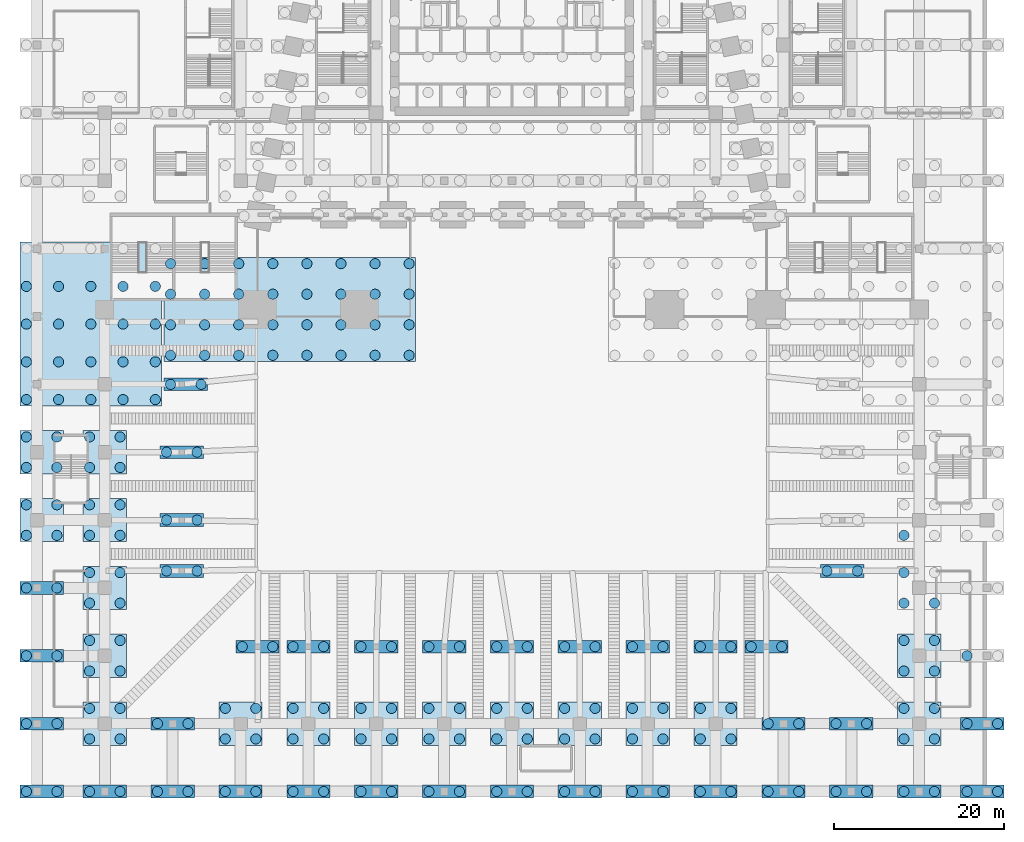
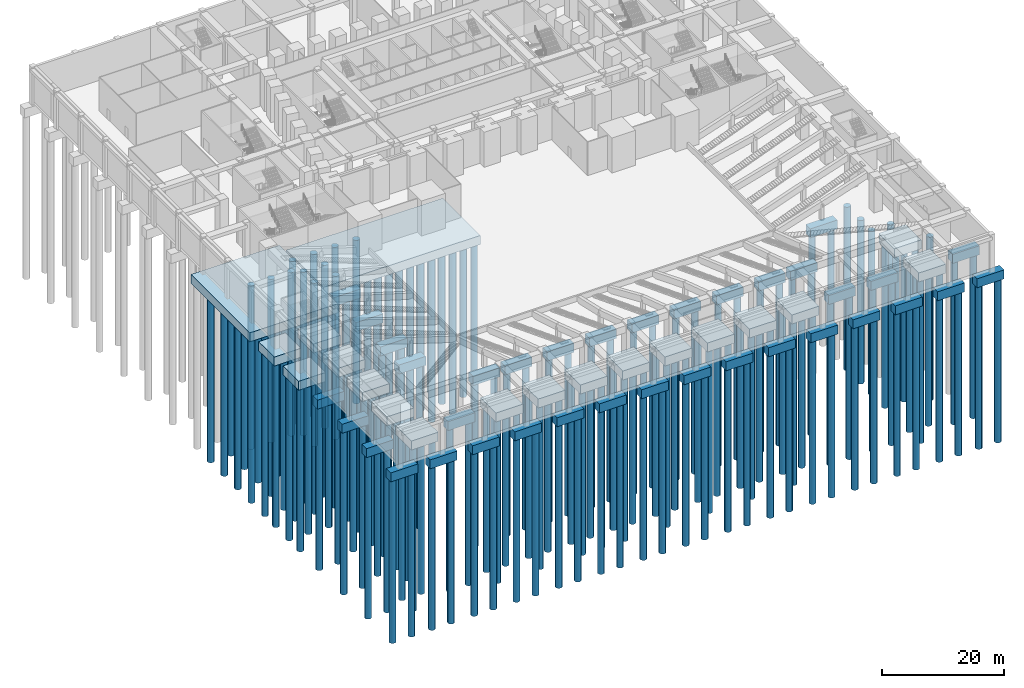
# One storey, part 1 of 30: 197 piles, 55 footings.
"""IFC4 building model written with IfcOpenShell, lengths in metres."""

from ifc_helpers import new_model, si_unit, direction, frame, origin, origin_2d, place, context, subcontext, project, spatial, rectangle, circle, extrude, material, material_profile, profile_set, type_object, element, save


model = new_model("IFC4")

# Units and contexts
model_context = context("Model", 3, precision=1e-05, world=origin(), true_north=direction((0.0, 1.0)))
body_context = subcontext(model_context, "Body", "Model", "MODEL_VIEW")
ifc_project = project(units=[si_unit("LENGTHUNIT", "METRE"), si_unit("AREAUNIT", "SQUARE_METRE"), si_unit("VOLUMEUNIT", "CUBIC_METRE"), si_unit("PLANEANGLEUNIT", "RADIAN"), si_unit("MASSUNIT", "GRAM", prefix="KILO")], contexts=[model_context])

# Site, building, storey
site_placement = place(None, origin())
site = spatial("IfcSite", under=ifc_project, at=site_placement, CompositionType="ELEMENT")
building_placement = place(site_placement, origin())
building = spatial("IfcBuilding", under=site, at=building_placement, Name="Isbrekke Arena Tower", CompositionType="ELEMENT")
storey_placement = place(building_placement, frame((0.0, 0.0, -7.0)))
storey = spatial("IfcBuildingStorey", under=building, at=storey_placement, Name="B1", CompositionType="ELEMENT", Elevation=-7.0)

# Piles
ifc_material_1 = material(Name="Concrete B45 (C45/55)", Category="concrete")
ifc_material_profile = material_profile(ifc_material_1, circle(Radius=0.60009765625, at=origin_2d()), Name="BORED PILE D1200")
ifc_profile_set = profile_set([ifc_material_profile], Name="Concrete B45 (C45/55)")
pile_type = type_object("IfcPileType", Name="P1 BORED PILE 1200", PredefinedType="BORED", material=ifc_profile_set)
for number, where, z_axis, x_axis, name in (
    (1, (-57.25, -74.0, -2.300048828125), (0.0, 0.0, -1.0), (1.0, 0.0, 0.0), "P1 pile CAP-001 1.1"),
    (2, (-53.64990234375, -74.0, -2.300048828125), (0.0, 0.0, -1.0), (1.0, 0.0, 0.0), "P1 pile CAP-001 2.1"),
    (3, (-49.800048828125, -74.0, -2.300048828125), (0.0, 0.0, -1.0), (1.0, 0.0, 0.0), "P1 pile CAP-002 1.1"),
    (4, (-46.199951171875, -74.0, -2.300048828125), (0.0, 0.0, -1.0), (1.0, 0.0, 0.0), "P1 pile CAP-002 2.1"),
    (5, (-41.800048828125, -74.0, -2.300048828125), (0.0, 0.0, -1.0), (1.0, 0.0, 0.0), "P1 pile CAP-003 1.1"),
    (6, (-38.199951171875, -74.0, -2.300048828125), (0.0, 0.0, -1.0), (1.0, 0.0, 0.0), "P1 pile CAP-003 2.1"),
    (7, (-33.800048828125, -74.0, -2.300048828125), (0.0, 0.0, -1.0), (1.0, 0.0, 0.0), "P1 pile CAP-004 1.1"),
    (8, (-30.199951171875, -74.0, -2.300048828125), (0.0, 0.0, -1.0), (1.0, 0.0, 0.0), "P1 pile CAP-004 2.1"),
    (9, (-25.800048828125, -74.0, -2.300048828125), (0.0, 0.0, -1.0), (1.0, 0.0, 0.0), "P1 pile CAP-005 1.1"),
    (10, (-22.199951171875, -74.0, -2.300048828125), (0.0, 0.0, -1.0), (1.0, 0.0, 0.0), "P1 pile CAP-005 2.1"),
    (11, (-17.800048828125, -74.0, -2.300048828125), (0.0, 0.0, -1.0), (1.0, 0.0, 0.0), "P1 pile CAP-006 1.1"),
    (12, (-14.199951171875, -74.0, -2.300048828125), (0.0, 0.0, -1.0), (1.0, 0.0, 0.0), "P1 pile CAP-006 2.1"),
    (13, (-9.800048828125, -74.0, -2.300048828125), (0.0, 0.0, -1.0), (1.0, 0.0, 0.0), "P1 pile CAP-007 1.1"),
    (14, (-6.199951171875, -74.0, -2.300048828125), (0.0, 0.0, -1.0), (1.0, 0.0, 0.0), "P1 pile CAP-007 2.1"),
    (15, (-1.800048828125, -74.0, -2.300048828125), (0.0, 0.0, -1.0), (1.0, 0.0, 0.0), "P1 pile CAP-008 1.1"),
    (16, (1.800048828125, -74.0, -2.300048828125), (0.0, 0.0, -1.0), (1.0, 0.0, 0.0), "P1 pile CAP-008 2.1"),
    (17, (6.199951171875, -74.0, -2.300048828125), (0.0, 0.0, -1.0), (1.0, 0.0, 0.0), "P1 pile CAP-009 1.1"),
    (18, (9.800048828125, -74.0, -2.300048828125), (0.0, 0.0, -1.0), (1.0, 0.0, 0.0), "P1 pile CAP-009 2.1"),
    (19, (14.199951171875, -74.0, -2.300048828125), (0.0, 0.0, -1.0), (1.0, 0.0, 0.0), "P1 pile CAP-010 1.1"),
    (20, (17.800048828125, -74.0, -2.300048828125), (0.0, 0.0, -1.0), (1.0, 0.0, 0.0), "P1 pile CAP-010 2.1"),
    (21, (22.199951171875, -74.0, -2.300048828125), (0.0, 0.0, -1.0), (1.0, 0.0, 0.0), "P1 pile CAP-011 1.1"),
    (22, (25.800048828125, -74.0, -2.300048828125), (0.0, 0.0, -1.0), (1.0, 0.0, 0.0), "P1 pile CAP-011 2.1"),
    (23, (30.199951171875, -74.0, -2.300048828125), (0.0, 0.0, -1.0), (1.0, 0.0, 0.0), "P1 pile CAP-012 1.1"),
    (24, (33.800048828125, -74.0, -2.300048828125), (0.0, 0.0, -1.0), (1.0, 0.0, 0.0), "P1 pile CAP-012 2.1"),
    (25, (38.199951171875, -74.0, -2.300048828125), (0.0, 0.0, -1.0), (1.0, 0.0, 0.0), "P1 pile CAP-013 1.1"),
    (26, (41.800048828125, -74.0, -2.300048828125), (0.0, 0.0, -1.0), (1.0, 0.0, 0.0), "P1 pile CAP-013 2.1"),
    (27, (46.199951171875, -74.0, -2.300048828125), (0.0, 0.0, -1.0), (1.0, 0.0, 0.0), "P1 pile CAP-014 1.1"),
    (28, (49.800048828125, -74.0, -2.300048828125), (0.0, 0.0, -1.0), (1.0, 0.0, 0.0), "P1 pile CAP-014 2.1"),
    (29, (53.64990234375, -74.0, -2.300048828125), (0.0, 0.0, -1.0), (1.0, 0.0, 0.0), "P1 pile CAP-015 1.1"),
    (30, (57.25, -74.0, -2.300048828125), (0.0, 0.0, -1.0), (1.0, 0.0, 0.0), "P1 pile CAP-015 2.1"),
    (31, (-49.800048828125, -67.800048828125, -2.300048828125), (0.0, 0.0, -1.0), (1.0, 0.0, 0.0), "P1 pile CAP-016 1.1"),
    (32, (-49.800048828125, -64.199951171875, -2.300048828125), (0.0, 0.0, -1.0), (1.0, 0.0, 0.0), "P1 pile CAP-016 1.2"),
    (33, (-46.199951171875, -67.800048828125, -2.300048828125), (0.0, 0.0, -1.0), (1.0, 0.0, 0.0), "P1 pile CAP-016 2.1"),
    (34, (-46.199951171875, -64.199951171875, -2.300048828125), (0.0, 0.0, -1.0), (1.0, 0.0, 0.0), "P1 pile CAP-016 2.2"),
    (35, (-33.800048828125, -67.800048828125, -2.300048828125), (0.0, 0.0, -1.0), (1.0, 0.0, 0.0), "P1 pile CAP-017 1.1"),
    (36, (-33.800048828125, -64.199951171875, -2.300048828125), (0.0, 0.0, -1.0), (1.0, 0.0, 0.0), "P1 pile CAP-017 1.2"),
    (37, (-30.199951171875, -67.800048828125, -2.300048828125), (0.0, 0.0, -1.0), (1.0, 0.0, 0.0), "P1 pile CAP-017 2.1"),
    (38, (-30.199951171875, -64.199951171875, -2.300048828125), (0.0, 0.0, -1.0), (1.0, 0.0, 0.0), "P1 pile CAP-017 2.2"),
    (39, (-25.800048828125, -67.800048828125, -2.300048828125), (0.0, 0.0, -1.0), (1.0, 0.0, 0.0), "P1 pile CAP-018 1.1"),
    (40, (-25.800048828125, -64.199951171875, -2.300048828125), (0.0, 0.0, -1.0), (1.0, 0.0, 0.0), "P1 pile CAP-018 1.2"),
    (41, (-22.199951171875, -67.800048828125, -2.300048828125), (0.0, 0.0, -1.0), (1.0, 0.0, 0.0), "P1 pile CAP-018 2.1"),
    (42, (-22.199951171875, -64.199951171875, -2.300048828125), (0.0, 0.0, -1.0), (1.0, 0.0, 0.0), "P1 pile CAP-018 2.2"),
    (43, (-17.800048828125, -67.800048828125, -2.300048828125), (0.0, 0.0, -1.0), (1.0, 0.0, 0.0), "P1 pile CAP-019 1.1"),
    (44, (-17.800048828125, -64.199951171875, -2.300048828125), (0.0, 0.0, -1.0), (1.0, 0.0, 0.0), "P1 pile CAP-019 1.2"),
    (45, (-14.199951171875, -67.800048828125, -2.300048828125), (0.0, 0.0, -1.0), (1.0, 0.0, 0.0), "P1 pile CAP-019 2.1"),
    (46, (-14.199951171875, -64.199951171875, -2.300048828125), (0.0, 0.0, -1.0), (1.0, 0.0, 0.0), "P1 pile CAP-019 2.2"),
    (47, (-9.800048828125, -67.800048828125, -2.300048828125), (0.0, 0.0, -1.0), (1.0, 0.0, 0.0), "P1 pile CAP-020 1.1"),
    (48, (-9.800048828125, -64.199951171875, -2.300048828125), (0.0, 0.0, -1.0), (1.0, 0.0, 0.0), "P1 pile CAP-020 1.2"),
    (49, (-6.199951171875, -67.800048828125, -2.300048828125), (0.0, 0.0, -1.0), (1.0, 0.0, 0.0), "P1 pile CAP-020 2.1"),
    (50, (-6.199951171875, -64.199951171875, -2.300048828125), (0.0, 0.0, -1.0), (1.0, 0.0, 0.0), "P1 pile CAP-020 2.2"),
    (51, (-1.800048828125, -67.800048828125, -2.300048828125), (0.0, 0.0, -1.0), (1.0, 0.0, 0.0), "P1 pile CAP-021 1.1"),
    (52, (-1.800048828125, -64.199951171875, -2.300048828125), (0.0, 0.0, -1.0), (1.0, 0.0, 0.0), "P1 pile CAP-021 1.2"),
    (53, (1.800048828125, -67.800048828125, -2.300048828125), (0.0, 0.0, -1.0), (1.0, 0.0, 0.0), "P1 pile CAP-021 2.1"),
    (54, (1.800048828125, -64.199951171875, -2.300048828125), (0.0, 0.0, -1.0), (1.0, 0.0, 0.0), "P1 pile CAP-021 2.2"),
    (55, (6.199951171875, -67.800048828125, -2.300048828125), (0.0, 0.0, -1.0), (1.0, 0.0, 0.0), "P1 pile CAP-022 1.1"),
    (56, (6.199951171875, -64.199951171875, -2.300048828125), (0.0, 0.0, -1.0), (1.0, 0.0, 0.0), "P1 pile CAP-022 1.2"),
    (57, (9.800048828125, -67.800048828125, -2.300048828125), (0.0, 0.0, -1.0), (1.0, 0.0, 0.0), "P1 pile CAP-022 2.1"),
    (58, (9.800048828125, -64.199951171875, -2.300048828125), (0.0, 0.0, -1.0), (1.0, 0.0, 0.0), "P1 pile CAP-022 2.2"),
    (59, (14.199951171875, -67.800048828125, -2.300048828125), (0.0, 0.0, -1.0), (1.0, 0.0, 0.0), "P1 pile CAP-023 1.1"),
    (60, (14.199951171875, -64.199951171875, -2.300048828125), (0.0, 0.0, -1.0), (1.0, 0.0, 0.0), "P1 pile CAP-023 1.2"),
    (61, (17.800048828125, -67.800048828125, -2.300048828125), (0.0, 0.0, -1.0), (1.0, 0.0, 0.0), "P1 pile CAP-023 2.1"),
    (62, (17.800048828125, -64.199951171875, -2.300048828125), (0.0, 0.0, -1.0), (1.0, 0.0, 0.0), "P1 pile CAP-023 2.2"),
    (63, (22.199951171875, -67.800048828125, -2.300048828125), (0.0, 0.0, -1.0), (1.0, 0.0, 0.0), "P1 pile CAP-024 1.1"),
    (64, (22.199951171875, -64.199951171875, -2.300048828125), (0.0, 0.0, -1.0), (1.0, 0.0, 0.0), "P1 pile CAP-024 1.2"),
    (65, (25.800048828125, -67.800048828125, -2.300048828125), (0.0, 0.0, -1.0), (1.0, 0.0, 0.0), "P1 pile CAP-024 2.1"),
    (66, (25.800048828125, -64.199951171875, -2.300048828125), (0.0, 0.0, -1.0), (1.0, 0.0, 0.0), "P1 pile CAP-024 2.2"),
    (67, (46.199951171875, -67.800048828125, -2.300048828125), (0.0, 0.0, -1.0), (1.0, 0.0, 0.0), "P1 pile CAP-025 1.1"),
    (68, (46.199951171875, -64.199951171875, -2.300048828125), (0.0, 0.0, -1.0), (1.0, 0.0, 0.0), "P1 pile CAP-025 1.2"),
    (69, (49.800048828125, -67.800048828125, -2.300048828125), (0.0, 0.0, -1.0), (1.0, 0.0, 0.0), "P1 pile CAP-025 2.1"),
    (70, (49.800048828125, -64.199951171875, -2.300048828125), (0.0, 0.0, -1.0), (1.0, 0.0, 0.0), "P1 pile CAP-025 2.2"),
    (71, (-57.25, -66.0, -2.300048828125), (0.0, 0.0, -1.0), (1.0, 0.0, 0.0), "P1 pile CAP-026 1.1"),
    (72, (-53.64990234375, -66.0, -2.300048828125), (0.0, 0.0, -1.0), (1.0, 0.0, 0.0), "P1 pile CAP-026 2.1"),
    (73, (-41.800048828125, -66.0, -2.300048828125), (0.0, 0.0, -1.0), (1.0, 0.0, 0.0), "P1 pile CAP-027 1.1"),
    (74, (-38.199951171875, -66.0, -2.300048828125), (0.0, 0.0, -1.0), (1.0, 0.0, 0.0), "P1 pile CAP-027 2.1"),
    (75, (30.199951171875, -66.0, -2.300048828125), (0.0, 0.0, -1.0), (1.0, 0.0, 0.0), "P1 pile CAP-028 1.1"),
    (76, (33.800048828125, -66.0, -2.300048828125), (0.0, 0.0, -1.0), (1.0, 0.0, 0.0), "P1 pile CAP-028 2.1"),
    (77, (38.199951171875, -66.0, -2.300048828125), (0.0, 0.0, -1.0), (1.0, 0.0, 0.0), "P1 pile CAP-029 1.1"),
    (78, (41.800048828125, -66.0, -2.300048828125), (0.0, 0.0, -1.0), (1.0, 0.0, 0.0), "P1 pile CAP-029 2.1"),
    (79, (53.64990234375, -66.0, -2.300048828125), (0.0, 0.0, -1.0), (1.0, 0.0, 0.0), "P1 pile CAP-030 1.1"),
    (80, (57.25, -66.0, -2.300048828125), (0.0, 0.0, -1.0), (1.0, 0.0, 0.0), "P1 pile CAP-030 2.1"),
    (81, (-49.800048828125, -59.800048828125, -2.300048828125), (0.0, 0.0, -1.0), (1.0, 0.0, 0.0), "P1 pile CAP-031 1.1"),
    (82, (-49.800048828125, -56.199951171875, -2.300048828125), (0.0, 0.0, -1.0), (1.0, 0.0, 0.0), "P1 pile CAP-031 1.2"),
    (83, (-46.199951171875, -59.800048828125, -2.300048828125), (0.0, 0.0, -1.0), (1.0, 0.0, 0.0), "P1 pile CAP-031 2.1"),
    (84, (-46.199951171875, -56.199951171875, -2.300048828125), (0.0, 0.0, -1.0), (1.0, 0.0, 0.0), "P1 pile CAP-031 2.2"),
    (85, (46.199951171875, -59.800048828125, -2.300048828125), (0.0, 0.0, -1.0), (1.0, 0.0, 0.0), "P1 pile CAP-032 1.1"),
    (86, (46.199951171875, -56.199951171875, -2.300048828125), (0.0, 0.0, -1.0), (1.0, 0.0, 0.0), "P1 pile CAP-032 1.2"),
    (87, (49.800048828125, -59.800048828125, -2.300048828125), (0.0, 0.0, -1.0), (1.0, 0.0, 0.0), "P1 pile CAP-032 2.1"),
    (88, (49.800048828125, -56.199951171875, -2.300048828125), (0.0, 0.0, -1.0), (1.0, 0.0, 0.0), "P1 pile CAP-032 2.2"),
    (89, (-57.25, -58.0, -2.300048828125), (0.0, 0.0, -1.0), (1.0, 0.0, 0.0), "P1 pile CAP-033 1.1"),
    (90, (-53.64990234375, -58.0, -2.300048828125), (0.0, 0.0, -1.0), (1.0, 0.0, 0.0), "P1 pile CAP-033 2.1"),
    (91, (53.64990234375, -58.0, -2.300048828125), (0.0, 0.0, -1.0), (1.0, 0.0, 0.0), "P1 pile CAP-034 1.1"),
    (92, (-31.800048828125, -56.925048828125, -2.300048828125), (0.0, 0.0, -1.0), (1.0, 0.0, 0.0), "P1 pile CAP-035 1.1"),
    (93, (-28.199951171875, -56.925048828125, -2.300048828125), (0.0, 0.0, -1.0), (1.0, 0.0, 0.0), "P1 pile CAP-035 2.1"),
    (94, (-25.800048828125, -56.925048828125, -2.300048828125), (0.0, 0.0, -1.0), (1.0, 0.0, 0.0), "P1 pile CAP-036 1.1"),
    (95, (-22.199951171875, -56.925048828125, -2.300048828125), (0.0, 0.0, -1.0), (1.0, 0.0, 0.0), "P1 pile CAP-036 2.1"),
    (96, (-17.800048828125, -56.925048828125, -2.300048828125), (0.0, 0.0, -1.0), (1.0, 0.0, 0.0), "P1 pile CAP-037 1.1"),
    (97, (-14.199951171875, -56.925048828125, -2.300048828125), (0.0, 0.0, -1.0), (1.0, 0.0, 0.0), "P1 pile CAP-037 2.1"),
    (98, (-9.800048828125, -56.925048828125, -2.300048828125), (0.0, 0.0, -1.0), (1.0, 0.0, 0.0), "P1 pile CAP-038 1.1"),
    (99, (-6.199951171875, -56.925048828125, -2.300048828125), (0.0, 0.0, -1.0), (1.0, 0.0, 0.0), "P1 pile CAP-038 2.1"),
    (100, (-1.800048828125, -56.925048828125, -2.300048828125), (0.0, 0.0, -1.0), (1.0, 0.0, 0.0), "P1 pile CAP-039 1.1"),
    (101, (1.800048828125, -56.925048828125, -2.300048828125), (0.0, 0.0, -1.0), (1.0, 0.0, 0.0), "P1 pile CAP-039 2.1"),
    (102, (6.199951171875, -56.925048828125, -2.300048828125), (0.0, 0.0, -1.0), (1.0, 0.0, 0.0), "P1 pile CAP-040 1.1"),
    (103, (9.800048828125, -56.925048828125, -2.300048828125), (0.0, 0.0, -1.0), (1.0, 0.0, 0.0), "P1 pile CAP-040 2.1"),
    (104, (14.199951171875, -56.925048828125, -2.300048828125), (0.0, 0.0, -1.0), (1.0, 0.0, 0.0), "P1 pile CAP-041 1.1"),
    (105, (17.800048828125, -56.925048828125, -2.300048828125), (0.0, 0.0, -1.0), (1.0, 0.0, 0.0), "P1 pile CAP-041 2.1"),
    (106, (22.199951171875, -56.925048828125, -2.300048828125), (0.0, 0.0, -1.0), (1.0, 0.0, 0.0), "P1 pile CAP-042 1.1"),
    (107, (25.800048828125, -56.925048828125, -2.300048828125), (0.0, 0.0, -1.0), (1.0, 0.0, 0.0), "P1 pile CAP-042 2.1"),
    (108, (28.199951171875, -56.925048828125, -2.300048828125), (0.0, 0.0, -1.0), (1.0, 0.0, 0.0), "P1 pile CAP-043 1.1"),
    (109, (31.800048828125, -56.925048828125, -2.300048828125), (0.0, 0.0, -1.0), (1.0, 0.0, 0.0), "P1 pile CAP-043 2.1"),
    (110, (-49.800048828125, -51.800048828125, -2.300048828125), (0.0, 0.0, -1.0), (1.0, 0.0, 0.0), "P1 pile CAP-044 1.1"),
    (111, (-49.800048828125, -48.199951171875, -2.300048828125), (0.0, 0.0, -1.0), (1.0, 0.0, 0.0), "P1 pile CAP-044 1.2"),
    (112, (-46.199951171875, -51.800048828125, -2.300048828125), (0.0, 0.0, -1.0), (1.0, 0.0, 0.0), "P1 pile CAP-044 2.1"),
    (113, (-46.199951171875, -48.199951171875, -2.300048828125), (0.0, 0.0, -1.0), (1.0, 0.0, 0.0), "P1 pile CAP-044 2.2"),
    (114, (46.199951171875, -51.800048828125, -2.300048828125), (0.0, 0.0, -1.0), (1.0, 0.0, 0.0), "P1 pile CAP-045 1.1"),
    (115, (46.199951171875, -48.199951171875, -2.300048828125), (0.0, 0.0, -1.0), (1.0, 0.0, 0.0), "P1 pile CAP-045 1.2"),
    (116, (49.800048828125, -51.800048828125, -2.300048828125), (0.0, 0.0, -1.0), (1.0, 0.0, 0.0), "P1 pile CAP-045 2.1"),
    (117, (-57.25, -50.0, -2.300048828125), (0.0, 0.0, -1.0), (1.0, 0.0, 0.0), "P1 pile CAP-046 1.1"),
    (118, (-53.64990234375, -50.0, -2.300048828125), (0.0, 0.0, -1.0), (1.0, 0.0, 0.0), "P1 pile CAP-046 2.1"),
    (119, (-40.72509765625, -48.0, -2.300048828125), (0.0, 0.0, -1.0), (1.0, 0.0, 0.0), "P1 pile CAP-048 1.1"),
    (120, (-37.125, -48.0, -2.300048828125), (0.0, 0.0, -1.0), (1.0, 0.0, 0.0), "P1 pile CAP-048 2.1"),
    (121, (37.125, -48.0, -2.300048828125), (0.0, 0.0, -1.0), (1.0, 0.0, 0.0), "P1 pile CAP-049 1.1"),
    (122, (40.72509765625, -48.0, -2.300048828125), (0.0, 0.0, -1.0), (1.0, 0.0, 0.0), "P1 pile CAP-049 2.1"),
    (123, (-57.25, -43.800048828125, -2.300048828125), (0.0, 0.0, -1.0), (1.0, 0.0, 0.0), "P1 pile CAP-050 1.1"),
    (124, (-57.25, -40.199951171875, -2.300048828125), (0.0, 0.0, -1.0), (1.0, 0.0, 0.0), "P1 pile CAP-050 1.2"),
    (125, (-53.64990234375, -43.800048828125, -2.300048828125), (0.0, 0.0, -1.0), (1.0, 0.0, 0.0), "P1 pile CAP-050 2.1"),
    (126, (-53.64990234375, -40.199951171875, -2.300048828125), (0.0, 0.0, -1.0), (1.0, 0.0, 0.0), "P1 pile CAP-050 2.2"),
    (127, (-49.800048828125, -43.800048828125, -2.300048828125), (0.0, 0.0, -1.0), (1.0, 0.0, 0.0), "P1 pile CAP-051 1.1"),
    (128, (-49.800048828125, -40.199951171875, -2.300048828125), (0.0, 0.0, -1.0), (1.0, 0.0, 0.0), "P1 pile CAP-051 1.2"),
    (129, (-46.199951171875, -43.800048828125, -2.300048828125), (0.0, 0.0, -1.0), (1.0, 0.0, 0.0), "P1 pile CAP-051 2.1"),
    (130, (-46.199951171875, -40.199951171875, -2.300048828125), (0.0, 0.0, -1.0), (1.0, 0.0, 0.0), "P1 pile CAP-051 2.2"),
    (131, (46.199951171875, -43.800048828125, -2.300048828125), (0.0, 0.0, -1.0), (1.0, 0.0, 0.0), "P1 pile CAP-052 1.1"),
    (132, (-40.72509765625, -42.0, -2.300048828125), (0.0, 0.0, -1.0), (1.0, 0.0, 0.0), "P1 pile CAP-054 1.1"),
    (133, (-37.125, -42.0, -2.300048828125), (0.0, 0.0, -1.0), (1.0, 0.0, 0.0), "P1 pile CAP-054 2.1"),
    (134, (-57.25, -35.800048828125, -2.300048828125), (0.0, 0.0, -1.0), (1.0, 0.0, 0.0), "P1 pile CAP-056 1.1"),
    (135, (-57.25, -32.199951171875, -2.300048828125), (0.0, 0.0, -1.0), (1.0, 0.0, 0.0), "P1 pile CAP-056 1.2"),
    (136, (-53.64990234375, -35.800048828125, -2.300048828125), (0.0, 0.0, -1.0), (1.0, 0.0, 0.0), "P1 pile CAP-056 2.1"),
    (137, (-53.64990234375, -32.199951171875, -2.300048828125), (0.0, 0.0, -1.0), (1.0, 0.0, 0.0), "P1 pile CAP-056 2.2"),
    (138, (-49.800048828125, -35.800048828125, -2.300048828125), (0.0, 0.0, -1.0), (1.0, 0.0, 0.0), "P1 pile CAP-057 1.1"),
    (139, (-49.800048828125, -32.199951171875, -2.300048828125), (0.0, 0.0, -1.0), (1.0, 0.0, 0.0), "P1 pile CAP-057 1.2"),
    (140, (-46.199951171875, -35.800048828125, -2.300048828125), (0.0, 0.0, -1.0), (1.0, 0.0, 0.0), "P1 pile CAP-057 2.1"),
    (141, (-46.199951171875, -32.199951171875, -2.300048828125), (0.0, 0.0, -1.0), (1.0, 0.0, 0.0), "P1 pile CAP-057 2.2"),
    (142, (-40.72509765625, -34.0, -2.300048828125), (0.0, 0.0, -1.0), (1.0, 0.0, 0.0), "P1 pile CAP-059 1.1"),
    (143, (-37.125, -34.0, -2.300048828125), (0.0, 0.0, -1.0), (1.0, 0.0, 0.0), "P1 pile CAP-059 2.1"),
    (144, (-57.25, -27.800048828125, -2.300048828125), (0.0, 0.0, -1.0), (1.0, 0.0, 0.0), "P1 pile CAP-062 1.1"),
    (145, (-57.25, -23.35009765625, -2.300048828125), (0.0, 0.0, -1.0), (1.0, 0.0, 0.0), "P1 pile CAP-062 1.2"),
    (146, (-57.25, -18.89990234375, -2.300048828125), (0.0, 0.0, -1.0), (1.0, 0.0, 0.0), "P1 pile CAP-062 1.3"),
    (147, (-57.25, -14.449951171875, -2.300048828125), (0.0, 0.0, -1.0), (1.0, 0.0, 0.0), "P1 pile CAP-062 1.4"),
    (148, (-53.449951171875, -27.800048828125, -2.300048828125), (0.0, 0.0, -1.0), (1.0, 0.0, 0.0), "P1 pile CAP-062 2.1"),
    (149, (-53.449951171875, -23.35009765625, -2.300048828125), (0.0, 0.0, -1.0), (1.0, 0.0, 0.0), "P1 pile CAP-062 2.2"),
    (150, (-53.449951171875, -18.89990234375, -2.300048828125), (0.0, 0.0, -1.0), (1.0, 0.0, 0.0), "P1 pile CAP-062 2.3"),
    (151, (-53.449951171875, -14.449951171875, -2.300048828125), (0.0, 0.0, -1.0), (1.0, 0.0, 0.0), "P1 pile CAP-062 2.4"),
    (152, (-49.64990234375, -27.800048828125, -2.300048828125), (0.0, 0.0, -1.0), (1.0, 0.0, 0.0), "P1 pile CAP-062 3.1"),
    (153, (-49.64990234375, -23.35009765625, -2.300048828125), (0.0, 0.0, -1.0), (1.0, 0.0, 0.0), "P1 pile CAP-062 3.2"),
    (154, (-49.64990234375, -18.89990234375, -2.300048828125), (0.0, 0.0, -1.0), (1.0, 0.0, 0.0), "P1 pile CAP-062 3.3"),
    (155, (-49.64990234375, -14.449951171875, -2.300048828125), (0.0, 0.0, -1.0), (1.0, 0.0, 0.0), "P1 pile CAP-062 3.4"),
    (156, (-45.85009765625, -27.800048828125, -2.300048828125), (0.0, 0.0, -1.0), (1.0, 0.0, 0.0), "P1 pile CAP-062 4.1"),
    (157, (-45.85009765625, -23.35009765625, -2.300048828125), (0.0, 0.0, -1.0), (1.0, 0.0, 0.0), "P1 pile CAP-062 4.2"),
    (158, (-45.85009765625, -18.89990234375, -2.300048828125), (0.0, 0.0, -1.0), (1.0, 0.0, 0.0), "P1 pile CAP-062 4.3"),
    (159, (-45.85009765625, -14.449951171875, -2.300048828125), (0.0, 0.0, -1.0), (1.0, 0.0, 0.0), "P1 pile CAP-062 4.4"),
    (160, (-42.050048828125, -27.800048828125, -2.300048828125), (0.0, 0.0, -1.0), (1.0, 0.0, 0.0), "P1 pile CAP-062 5.1"),
    (161, (-42.050048828125, -23.35009765625, -2.300048828125), (0.0, 0.0, -1.0), (1.0, 0.0, 0.0), "P1 pile CAP-062 5.2"),
    (162, (-42.050048828125, -18.89990234375, -2.300048828125), (0.0, 0.0, -1.0), (1.0, 0.0, 0.0), "P1 pile CAP-062 5.3"),
    (163, (-42.050048828125, -14.449951171875, -2.300048828125), (0.0, 0.0, -1.0), (1.0, 0.0, 0.0), "P1 pile CAP-062 5.4"),
    (164, (-40.25, -26.0, -2.300048828125), (0.0, 0.0, -1.0), (1.0, 0.0, 0.0), "P1 pile CAP-064 1.1"),
    (165, (-36.64990234375, -26.0, -2.300048828125), (0.0, 0.0, -1.0), (1.0, 0.0, 0.0), "P1 pile CAP-064 2.1"),
    (166, (-40.25, -22.574951171875, -2.300048828125), (0.0, 0.0, -1.0), (1.0, 0.0, 0.0), "P1 pile CAP-066 1.1"),
    (167, (-40.25, -18.97509765625, -2.300048828125), (0.0, 0.0, -1.0), (1.0, 0.0, 0.0), "P1 pile CAP-066 1.2"),
    (168, (-40.25, -15.375, -2.300048828125), (0.0, 0.0, -1.0), (1.0, 0.0, 0.0), "P1 pile CAP-066 1.3"),
    (169, (-40.25, -11.77490234375, -2.300048828125), (0.0, 0.0, -1.0), (1.0, 0.0, 0.0), "P1 pile CAP-066 1.4"),
    (170, (-36.232177734375, -22.574951171875, -2.300048828125), (0.0, 0.0, -1.0), (1.0, 0.0, 0.0), "P1 pile CAP-066 2.1"),
    (171, (-36.232177734375, -18.97509765625, -2.300048828125), (0.0, 0.0, -1.0), (1.0, 0.0, 0.0), "P1 pile CAP-066 2.2"),
    (172, (-36.232177734375, -15.375, -2.300048828125), (0.0, 0.0, -1.0), (1.0, 0.0, 0.0), "P1 pile CAP-066 2.3"),
    (173, (-36.232177734375, -11.77490234375, -2.300048828125), (0.0, 0.0, -1.0), (1.0, 0.0, 0.0), "P1 pile CAP-066 2.4"),
    (174, (-32.21435546875, -22.574951171875, -2.300048828125), (0.0, 0.0, -1.0), (1.0, 0.0, 0.0), "P1 pile CAP-066 3.1"),
    (175, (-32.21435546875, -18.97509765625, -2.300048828125), (0.0, 0.0, -1.0), (1.0, 0.0, 0.0), "P1 pile CAP-066 3.2"),
    (176, (-32.21435546875, -15.375, -2.300048828125), (0.0, 0.0, -1.0), (1.0, 0.0, 0.0), "P1 pile CAP-066 3.3"),
    (177, (-32.21435546875, -11.77490234375, -2.300048828125), (0.0, 0.0, -1.0), (1.0, 0.0, 0.0), "P1 pile CAP-066 3.4"),
    (178, (-28.196533203125, -22.574951171875, -2.300048828125), (0.0, 0.0, -1.0), (1.0, 0.0, 0.0), "P1 pile CAP-066 4.1"),
    (179, (-28.196533203125, -18.97509765625, -2.300048828125), (0.0, 0.0, -1.0), (1.0, 0.0, 0.0), "P1 pile CAP-066 4.2"),
    (180, (-28.196533203125, -15.375, -2.300048828125), (0.0, 0.0, -1.0), (1.0, 0.0, 0.0), "P1 pile CAP-066 4.3"),
    (181, (-28.196533203125, -11.77490234375, -2.300048828125), (0.0, 0.0, -1.0), (1.0, 0.0, 0.0), "P1 pile CAP-066 4.4"),
    (182, (-24.178466796875, -22.574951171875, -2.300048828125), (0.0, 0.0, -1.0), (1.0, 0.0, 0.0), "P1 pile CAP-066 5.1"),
    (183, (-24.178466796875, -18.97509765625, -2.300048828125), (0.0, 0.0, -1.0), (1.0, 0.0, 0.0), "P1 pile CAP-066 5.2"),
    (184, (-24.178466796875, -15.375, -2.300048828125), (0.0, 0.0, -1.0), (1.0, 0.0, 0.0), "P1 pile CAP-066 5.3"),
    (185, (-24.178466796875, -11.77490234375, -2.300048828125), (0.0, 0.0, -1.0), (1.0, 0.0, 0.0), "P1 pile CAP-066 5.4"),
    (186, (-20.16064453125, -22.574951171875, -2.300048828125), (0.0, 0.0, -1.0), (1.0, 0.0, 0.0), "P1 pile CAP-066 6.1"),
    (187, (-20.16064453125, -18.97509765625, -2.300048828125), (0.0, 0.0, -1.0), (1.0, 0.0, 0.0), "P1 pile CAP-066 6.2"),
    (188, (-20.16064453125, -15.375, -2.300048828125), (0.0, 0.0, -1.0), (1.0, 0.0, 0.0), "P1 pile CAP-066 6.3"),
    (189, (-20.16064453125, -11.77490234375, -2.300048828125), (0.0, 0.0, -1.0), (1.0, 0.0, 0.0), "P1 pile CAP-066 6.4"),
    (190, (-16.142822265625, -22.574951171875, -2.300048828125), (0.0, 0.0, -1.0), (1.0, 0.0, 0.0), "P1 pile CAP-066 7.1"),
    (191, (-16.142822265625, -18.97509765625, -2.300048828125), (0.0, 0.0, -1.0), (1.0, 0.0, 0.0), "P1 pile CAP-066 7.2"),
    (192, (-16.142822265625, -15.375, -2.300048828125), (0.0, 0.0, -1.0), (1.0, 0.0, 0.0), "P1 pile CAP-066 7.3"),
    (193, (-16.142822265625, -11.77490234375, -2.300048828125), (0.0, 0.0, -1.0), (1.0, 0.0, 0.0), "P1 pile CAP-066 7.4"),
    (194, (-12.125, -22.574951171875, -2.300048828125), (0.0, 0.0, -1.0), (1.0, 0.0, 0.0), "P1 pile CAP-066 8.1"),
    (195, (-12.125, -18.97509765625, -2.300048828125), (0.0, 0.0, -1.0), (1.0, 0.0, 0.0), "P1 pile CAP-066 8.2"),
    (196, (-12.125, -15.375, -2.300048828125), (0.0, 0.0, -1.0), (1.0, 0.0, 0.0), "P1 pile CAP-066 8.3"),
    (197, (-12.125, -11.77490234375, -2.300048828125), (0.0, 0.0, -1.0), (1.0, 0.0, 0.0), "P1 pile CAP-066 8.4"),
):
    element("IfcPile", number, at=place(storey_placement, frame(where, z_axis=z_axis, x_axis=x_axis)), inside=storey, type_object=pile_type, Name=name, PredefinedType="BORED", context=body_context, shape_type="SweptSolid", body=[
        extrude(circle(Radius=0.60009765625, at=origin_2d()), origin(), (0.0, 0.0, 1.0), 32.699951171875),
    ])

# Footings
ifc_material_2 = material(Name="Concrete B45 (C45/55)", Category="concrete")
footing_type_1 = type_object("IfcFootingType", Name="PC1 PILE CAP 5100 x 1500 x 1800", PredefinedType="PILE_CAP", material=ifc_material_2)
for number, where, z_axis, x_axis, name in (
    (198, (-55.449951171875, -74.0, -2.39990234375), (0.0, 0.0, 1.0), (1.0, 0.0, 0.0), "PC1 pile cap PA1"),
    (199, (-48.0, -74.0, -2.39990234375), (0.0, 0.0, 1.0), (1.0, 0.0, 0.0), "PC1 pile cap PA2"),
    (200, (-40.0, -74.0, -2.39990234375), (0.0, 0.0, 1.0), (1.0, 0.0, 0.0), "PC1 pile cap PA3"),
    (201, (-32.0, -74.0, -2.39990234375), (0.0, 0.0, 1.0), (1.0, 0.0, 0.0), "PC1 pile cap PA4"),
    (202, (-24.0, -74.0, -2.39990234375), (0.0, 0.0, 1.0), (1.0, 0.0, 0.0), "PC1 pile cap PA5"),
    (203, (-16.0, -74.0, -2.39990234375), (0.0, 0.0, 1.0), (1.0, 0.0, 0.0), "PC1 pile cap PA6"),
    (204, (-8.0, -74.0, -2.39990234375), (0.0, 0.0, 1.0), (1.0, 0.0, 0.0), "PC1 pile cap PA7"),
    (205, (0.0, -74.0, -2.39990234375), (0.0, 0.0, 1.0), (1.0, 0.0, 0.0), "PC1 pile cap PA8"),
    (206, (8.0, -74.0, -2.39990234375), (0.0, 0.0, 1.0), (1.0, 0.0, 0.0), "PC1 pile cap PA9"),
    (207, (16.0, -74.0, -2.39990234375), (0.0, 0.0, 1.0), (1.0, 0.0, 0.0), "PC1 pile cap PA10"),
    (208, (24.0, -74.0, -2.39990234375), (0.0, 0.0, 1.0), (1.0, 0.0, 0.0), "PC1 pile cap PA11"),
    (209, (32.0, -74.0, -2.39990234375), (0.0, 0.0, 1.0), (1.0, 0.0, 0.0), "PC1 pile cap PA12"),
    (210, (40.0, -74.0, -2.39990234375), (0.0, 0.0, 1.0), (1.0, 0.0, 0.0), "PC1 pile cap PA13"),
    (211, (48.0, -74.0, -2.39990234375), (0.0, 0.0, 1.0), (1.0, 0.0, 0.0), "PC1 pile cap PA14"),
    (212, (55.449951171875, -74.0, -2.39990234375), (0.0, 0.0, 1.0), (1.0, 0.0, 0.0), "PC1 pile cap PA15"),
    (213, (-55.449951171875, -66.0, -2.39990234375), (0.0, 0.0, 1.0), (1.0, 0.0, 0.0), "PC1 pile cap PB1"),
    (214, (-40.0, -66.0, -2.39990234375), (0.0, 0.0, 1.0), (1.0, 0.0, 0.0), "PC1 pile cap PB3"),
    (215, (32.0, -66.0, -2.39990234375), (0.0, 0.0, 1.0), (1.0, 0.0, 0.0), "PC1 pile cap PB12"),
    (216, (40.0, -66.0, -2.39990234375), (0.0, 0.0, 1.0), (1.0, 0.0, 0.0), "PC1 pile cap PB13"),
    (217, (55.449951171875, -66.0, -2.39990234375), (0.0, 0.0, 1.0), (1.0, 0.0, 0.0), "PC1 pile cap PB15"),
    (218, (-55.449951171875, -58.0, -2.39990234375), (0.0, 0.0, 1.0), (1.0, 0.0, 0.0), "PC1 pile cap PC1"),
    (219, (-30.0, -56.925048828125, -2.39990234375), (0.0, 0.0, 1.0), (1.0, 0.0, 0.0), "PC1 pile cap RS-30"),
    (220, (-24.0, -56.925048828125, -2.39990234375), (0.0, 0.0, 1.0), (1.0, 0.0, 0.0), "PC1 pile cap RS-24"),
    (221, (-16.0, -56.925048828125, -2.39990234375), (0.0, 0.0, 1.0), (1.0, 0.0, 0.0), "PC1 pile cap RS-16"),
    (222, (-8.0, -56.925048828125, -2.39990234375), (0.0, 0.0, 1.0), (1.0, 0.0, 0.0), "PC1 pile cap RS-8"),
    (223, (0.0, -56.925048828125, -2.39990234375), (0.0, 0.0, 1.0), (1.0, 0.0, 0.0), "PC1 pile cap RS+0"),
    (224, (8.0, -56.925048828125, -2.39990234375), (0.0, 0.0, 1.0), (1.0, 0.0, 0.0), "PC1 pile cap RS+8"),
    (225, (16.0, -56.925048828125, -2.39990234375), (0.0, 0.0, 1.0), (1.0, 0.0, 0.0), "PC1 pile cap RS+16"),
    (226, (24.0, -56.925048828125, -2.39990234375), (0.0, 0.0, 1.0), (1.0, 0.0, 0.0), "PC1 pile cap RS+24"),
    (227, (30.0, -56.925048828125, -2.39990234375), (0.0, 0.0, 1.0), (1.0, 0.0, 0.0), "PC1 pile cap RS+30"),
    (228, (-55.449951171875, -50.0, -2.39990234375), (0.0, 0.0, 1.0), (1.0, 0.0, 0.0), "PC1 pile cap PD1"),
    (229, (-38.925048828125, -48.0, -2.39990234375), (0.0, 0.0, 1.0), (1.0, 0.0, 0.0), "PC1 pile cap RW48"),
    (230, (38.925048828125, -48.0, -2.39990234375), (0.0, 0.0, 1.0), (1.0, 0.0, 0.0), "PC1 pile cap RE48"),
    (231, (-38.925048828125, -42.0, -2.39990234375), (0.0, 0.0, 1.0), (1.0, 0.0, 0.0), "PC1 pile cap RW42"),
    (232, (-38.925048828125, -34.0, -2.39990234375), (0.0, 0.0, 1.0), (1.0, 0.0, 0.0), "PC1 pile cap RW34"),
    (233, (-38.449951171875, -26.0, -2.39990234375), (0.0, 0.0, 1.0), (1.0, 0.0, 0.0), "PC1 pile cap RW26"),
):
    element("IfcFooting", number, at=place(storey_placement, frame(where, z_axis=z_axis, x_axis=x_axis)), inside=storey, type_object=footing_type_1, Name=name, PredefinedType="PILE_CAP", context=body_context, shape_type="SweptSolid", body=[
        extrude(rectangle(XDim=5.10009765625, YDim=1.5, at=origin_2d()), origin(), (0.0, 0.0, 1.0), 1.800048828125),
    ])
ifc_material_3 = material(Name="Concrete B45 (C45/55)", Category="concrete")
footing_type_2 = type_object("IfcFootingType", Name="PC2 PILE CAP 5100 x 5100 x 1800", PredefinedType="PILE_CAP", material=ifc_material_3)
for number, where, z_axis, x_axis, name in (
    (234, (-48.0, -66.0, -2.39990234375), (0.0, 0.0, 1.0), (1.0, 0.0, 0.0), "PC2 pile cap PB2"),
    (235, (-32.0, -66.0, -2.39990234375), (0.0, 0.0, 1.0), (1.0, 0.0, 0.0), "PC2 pile cap PB4"),
    (236, (-24.0, -66.0, -2.39990234375), (0.0, 0.0, 1.0), (1.0, 0.0, 0.0), "PC2 pile cap PB5"),
    (237, (-16.0, -66.0, -2.39990234375), (0.0, 0.0, 1.0), (1.0, 0.0, 0.0), "PC2 pile cap PB6"),
    (238, (-8.0, -66.0, -2.39990234375), (0.0, 0.0, 1.0), (1.0, 0.0, 0.0), "PC2 pile cap PB7"),
    (239, (0.0, -66.0, -2.39990234375), (0.0, 0.0, 1.0), (1.0, 0.0, 0.0), "PC2 pile cap PB8"),
    (240, (8.0, -66.0, -2.39990234375), (0.0, 0.0, 1.0), (1.0, 0.0, 0.0), "PC2 pile cap PB9"),
    (241, (16.0, -66.0, -2.39990234375), (0.0, 0.0, 1.0), (1.0, 0.0, 0.0), "PC2 pile cap PB10"),
    (242, (24.0, -66.0, -2.39990234375), (0.0, 0.0, 1.0), (1.0, 0.0, 0.0), "PC2 pile cap PB11"),
    (243, (48.0, -66.0, -2.39990234375), (0.0, 0.0, 1.0), (1.0, 0.0, 0.0), "PC2 pile cap PB14"),
    (244, (-48.0, -58.0, -2.39990234375), (0.0, 0.0, 1.0), (1.0, 0.0, 0.0), "PC2 pile cap PC2"),
    (245, (48.0, -58.0, -2.39990234375), (0.0, 0.0, 1.0), (1.0, 0.0, 0.0), "PC2 pile cap PC14"),
    (246, (-48.0, -50.0, -2.39990234375), (0.0, 0.0, 1.0), (1.0, 0.0, 0.0), "PC2 pile cap PD2"),
    (247, (-55.449951171875, -42.0, -2.39990234375), (0.0, 0.0, 1.0), (1.0, 0.0, 0.0), "PC2 pile cap PE1"),
    (248, (-48.0, -42.0, -2.39990234375), (0.0, 0.0, 1.0), (1.0, 0.0, 0.0), "PC2 pile cap PE2"),
    (249, (-55.449951171875, -34.0, -2.39990234375), (0.0, 0.0, 1.0), (1.0, 0.0, 0.0), "PC2 pile cap PF1"),
    (250, (-48.0, -34.0, -2.39990234375), (0.0, 0.0, 1.0), (1.0, 0.0, 0.0), "PC2 pile cap PF2"),
):
    element("IfcFooting", number, at=place(storey_placement, frame(where, z_axis=z_axis, x_axis=x_axis)), inside=storey, type_object=footing_type_2, Name=name, PredefinedType="PILE_CAP", context=body_context, shape_type="SweptSolid", body=[
        extrude(rectangle(XDim=5.10009765625, YDim=5.10009765625, at=origin_2d()), origin(), (0.0, 0.0, 1.0), 1.800048828125),
    ])
ifc_material_4 = material(Name="Concrete B45 (C45/55)", Category="concrete")
footing_type_3 = type_object("IfcFootingType", Name="PC5 PILE CAP 16700 x 19300 x 1800", PredefinedType="PILE_CAP", material=ifc_material_4)
footing_1_placement = place(storey_placement, frame((-49.64990234375, -18.89990234375, -2.39990234375), z_axis=(0.0, 0.0, 1.0), x_axis=(1.0, 0.0, 0.0)))
element("IfcFooting", 251, at=footing_1_placement, inside=storey, type_object=footing_type_3, Name="PC5 pile cap PG1+PH1+MCW+PI1+PG2+PI2", PredefinedType="PILE_CAP", context=body_context, shape_type="SweptSolid", body=[
    extrude(rectangle(XDim=16.699951171875, YDim=19.300048828125, at=origin_2d()), origin(), (0.0, 0.0, 1.0), 1.800048828125),
])
ifc_material_5 = material(Name="Concrete B45 (C45/55)", Category="concrete")
footing_type_4 = type_object("IfcFootingType", Name="PC6 PILE CAP 29625 x 12300 x 1800", PredefinedType="PILE_CAP", material=ifc_material_5)
footing_2_placement = place(storey_placement, frame((-26.1875, -17.175048828125, -2.39990234375), z_axis=(0.0, 0.0, 1.0), x_axis=(1.0, 0.0, 0.0)))
element("IfcFooting", 252, at=footing_2_placement, inside=storey, type_object=footing_type_4, Name="PC6 pile cap RW18+SFW30+SFW18", PredefinedType="PILE_CAP", context=body_context, shape_type="SweptSolid", body=[
    extrude(rectangle(XDim=29.625, YDim=12.300048828125, at=origin_2d()), origin(), (0.0, 0.0, 1.0), 1.800048828125),
])

save(model, "model.ifc")
